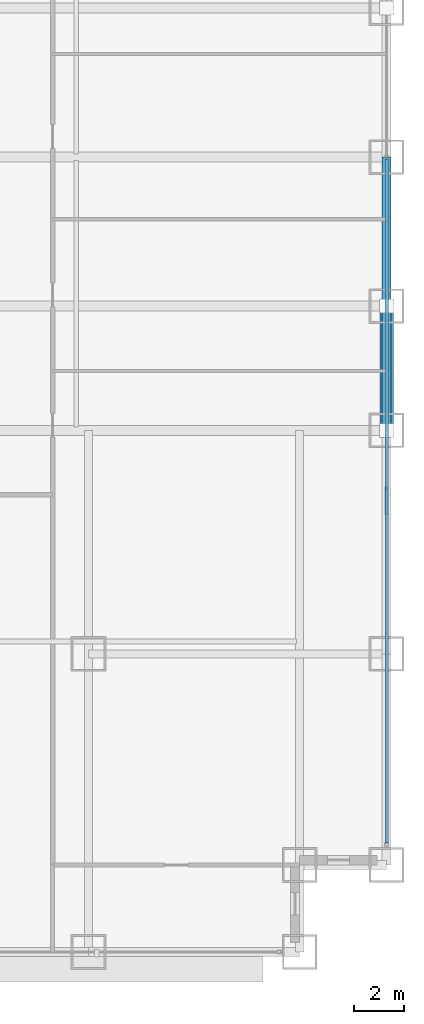
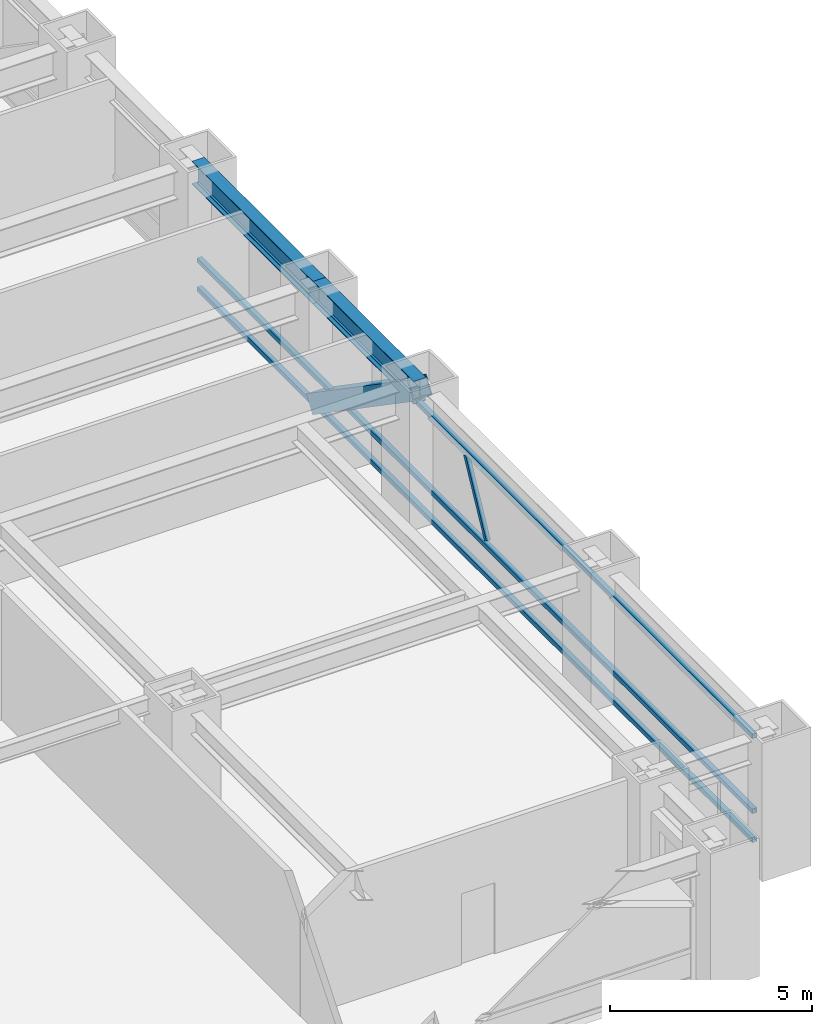
# One storey, part 13 of 32: 5 members, 2 beams, 1 element without a shape of its own.
"""IFC4 building model written with IfcOpenShell, lengths in metres."""

from ifc_helpers import new_model, si_unit, direction, frame, origin, origin_2d, place, context, subcontext, project, spatial, hollow_rectangle, i_section, extrude, source, transform, mapped, material, material_profile, profile_set, type_object, element, aggregate, save


model = new_model("IFC4")

# Units and contexts
model_context = context("Model", 3, precision=1e-05, world=origin(), true_north=direction((0.0, 1.0)))
body_context = subcontext(model_context, "Body", "Model", "MODEL_VIEW")
ifc_project = project(units=[si_unit("LENGTHUNIT", "METRE"), si_unit("AREAUNIT", "SQUARE_METRE"), si_unit("VOLUMEUNIT", "CUBIC_METRE"), si_unit("PLANEANGLEUNIT", "RADIAN"), si_unit("MASSUNIT", "GRAM", prefix="KILO")], contexts=[model_context])

# Site, building, storey
site_placement = place(None, origin())
site = spatial("IfcSite", under=ifc_project, at=site_placement, CompositionType="ELEMENT")
building_placement = place(site_placement, origin())
building = spatial("IfcBuilding", under=site, at=building_placement, Name="Khorayat Bourse Tower", CompositionType="ELEMENT")
storey_placement = place(building_placement, frame((0.0, 0.0, 78.800048828125)))
storey = spatial("IfcBuildingStorey", under=building, at=storey_placement, Name="L17", CompositionType="ELEMENT", Elevation=78.800048828125)

# Beams
ifc_material_1 = material(Name="Steel ASTM A992 Grade 50", Category="steel")
ifc_material_profile_1 = material_profile(ifc_material_1, i_section(OverallWidth=0.35498046875, OverallDepth=0.695068359375, WebThickness=0.015380859375, FlangeThickness=0.02490234375, FilletRadius=0.01806640625, at=origin_2d()), Name="W690X217")
ifc_profile_set_1 = profile_set([ifc_material_profile_1], Name="Steel ASTM A992 Grade 50")
beam_type = type_object("IfcBeamType", Name="BM-SPAN-690", PredefinedType="SPANDREL", material=ifc_profile_set_1)
shared_shape_1 = source(origin(), body_context, "Body", "SweptSolid", [
    extrude(i_section(OverallWidth=0.35498046875, OverallDepth=0.695068359375, WebThickness=0.015380859375, FlangeThickness=0.02490234375, FilletRadius=0.01806640625, at=origin_2d()), origin(), (0.0, 0.0, 1.0), 5.0),
])
beam_1_placement = place(storey_placement, frame((32.0, -11.0, 3.592529296875), z_axis=(0.0, 1.0, 0.0), x_axis=(-1.0, 0.0, 0.0)))
element("IfcBeam", 1, at=beam_1_placement, inside=storey, type_object=beam_type, Name="L17 BM-SPAN-690 BM-L17-SPN-036", PredefinedType="SPANDREL", context=body_context, shape_type="MappedRepresentation", body=[
    mapped(shared_shape_1, transform((0.0, 0.0, 0.0), scale=1.0)),
])
shared_shape_2 = source(origin(), body_context, "Body", "SweptSolid", [
    extrude(i_section(OverallWidth=0.35498046875, OverallDepth=0.695068359375, WebThickness=0.015380859375, FlangeThickness=0.02490234375, FilletRadius=0.01806640625, at=origin_2d()), origin(), (0.0, 0.0, 1.0), 6.0),
])
beam_2_placement = place(storey_placement, frame((32.0, -6.0, 3.592529296875), z_axis=(0.0, 1.0, 0.0), x_axis=(-1.0, 0.0, 0.0)))
element("IfcBeam", 2, at=beam_2_placement, inside=storey, type_object=beam_type, Name="L17 BM-SPAN-690 BM-L17-SPN-037", PredefinedType="SPANDREL", context=body_context, shape_type="MappedRepresentation", body=[
    mapped(shared_shape_2, transform((0.0, 0.0, 0.0), scale=1.0)),
])

# Member
ifc_material_2 = material(Name="Steel EN 10025-4 S460M", Category="steel")
ifc_material_profile_2 = material_profile(ifc_material_2, hollow_rectangle(XDim=0.550048828125, YDim=0.550048828125, WallThickness=0.031982421875, at=origin_2d()), Name="HSS 550x550x32")
ifc_profile_set_2 = profile_set([ifc_material_profile_2], Name="Steel EN 10025-4 S460M")
member_type_1 = type_object("IfcMemberType", Name="MBR-TUBE-550", PredefinedType="BRACE", material=ifc_profile_set_2)
shared_shape_3 = source(origin(), body_context, "Body", "SweptSolid", [
    extrude(hollow_rectangle(XDim=0.550048828125, YDim=0.550048828125, WallThickness=0.031982421875, at=origin_2d()), origin(), (0.0, 0.0, 1.0), 6.069091796875),
])
member_1_placement = place(storey_placement, frame((32.0, -11.0, 3.68994140625), z_axis=(0.0, 0.823854080622, -0.566801952928), x_axis=(-1.0, 0.0, 0.0)))
element("IfcMember", 3, at=member_1_placement, inside=storey, type_object=member_type_1, Name="L17 Perimeter Tube Brace 07", PredefinedType="BRACE", context=body_context, shape_type="MappedRepresentation", body=[
    mapped(shared_shape_3, transform((0.0, 0.0, 0.0), scale=1.0)),
])

# Curtain wall, members
ifc_material_3 = material(Name="Aluminium EN AW-6063 T6", Category="aluminium")
curtain_wall_type = type_object("IfcCurtainWallType", Name="CW-SYS-02", PredefinedType="NOTDEFINED", material=ifc_material_3)
curtain_wall_placement = place(storey_placement, origin())
curtain_wall = element("IfcCurtainWall", 4, at=curtain_wall_placement, inside=storey, type_object=curtain_wall_type, Name="L17 Curtain Wall CW-L17-E1", PredefinedType="NOTDEFINED")
ifc_material_profile_3 = material_profile(ifc_material_3, hollow_rectangle(XDim=0.1201171875, YDim=0.1201171875, WallThickness=0.0048828125, at=origin_2d()), Name="ALU 120x120x5")
ifc_profile_set_3 = profile_set([ifc_material_profile_3], Name="Aluminium EN AW-6063 T6")
member_type_2 = type_object("IfcMemberType", Name="CWM-DIAG-120", PredefinedType="MULLION", material=ifc_profile_set_3)
shared_shape_4 = source(origin(), body_context, "Body", "SweptSolid", [
    extrude(hollow_rectangle(XDim=0.1201171875, YDim=0.1201171875, WallThickness=0.0048828125, at=origin_2d()), origin(), (0.0, 0.0, 1.0), 2.226318359375),
])
member_2_placement = place(storey_placement, frame((32.0, -14.3583984375, 1.099853515625), z_axis=(0.0, 0.465714796031, 0.884934872608), x_axis=(-1.0, 0.0, 0.0)))
member_2 = element("IfcMember", 5, at=member_2_placement, type_object=member_type_2, Name="CW-L17-E1 Faceted Diagonal Mullion 1", PredefinedType="MULLION", context=body_context, shape_type="MappedRepresentation", body=[
    mapped(shared_shape_4, transform((0.0, 0.0, 0.0), scale=1.0)),
])
ifc_material_profile_4 = material_profile(ifc_material_3, hollow_rectangle(XDim=0.139892578125, YDim=0.139892578125, WallThickness=0.006103515625, at=origin_2d()), Name="ALU 140x140x6")
ifc_profile_set_4 = profile_set([ifc_material_profile_4], Name="Aluminium EN AW-6063 T6")
member_type_3 = type_object("IfcMemberType", Name="CWT-HORZ-140", PredefinedType="USERDEFINED", material=ifc_profile_set_4)
shared_shape_5 = source(origin(), body_context, "Body", "SweptSolid", [
    extrude(hollow_rectangle(XDim=0.139892578125, YDim=0.139892578125, WallThickness=0.006103515625, at=origin_2d()), origin(), (0.0, 0.0, 1.0), 27.5400390625),
])
member_3_placement = place(storey_placement, frame((32.0, -27.610107421875, 0.070068359375), z_axis=(0.0, 1.0, 0.0), x_axis=(-1.0, 0.0, 0.0)))
member_3 = element("IfcMember", 6, at=member_3_placement, type_object=member_type_3, Name="CW-L17-E1 Horizontal Transom 1-1", ObjectType="TRANSOM", PredefinedType="USERDEFINED", context=body_context, shape_type="MappedRepresentation", body=[
    mapped(shared_shape_5, transform((0.0, 0.0, 0.0), scale=1.0)),
])
member_4_placement = place(storey_placement, frame((32.0, -27.610107421875, 0.949951171875), z_axis=(0.0, 1.0, 0.0), x_axis=(-1.0, 0.0, 0.0)))
member_4 = element("IfcMember", 7, at=member_4_placement, type_object=member_type_3, Name="CW-L17-E1 Horizontal Transom 1-2", ObjectType="TRANSOM", PredefinedType="USERDEFINED", context=body_context, shape_type="MappedRepresentation", body=[
    mapped(shared_shape_5, transform((0.0, 0.0, 0.0), scale=1.0)),
])
member_5_placement = place(storey_placement, frame((32.0, -27.610107421875, 3.219970703125), z_axis=(0.0, 1.0, 0.0), x_axis=(-1.0, 0.0, 0.0)))
member_5 = element("IfcMember", 8, at=member_5_placement, type_object=member_type_3, Name="CW-L17-E1 Horizontal Transom 1-3", ObjectType="TRANSOM", PredefinedType="USERDEFINED", context=body_context, shape_type="MappedRepresentation", body=[
    mapped(shared_shape_5, transform((0.0, 0.0, 0.0), scale=1.0)),
])
aggregate(curtain_wall, [member_3, member_4, member_5, member_2])

save(model, "model.ifc")
